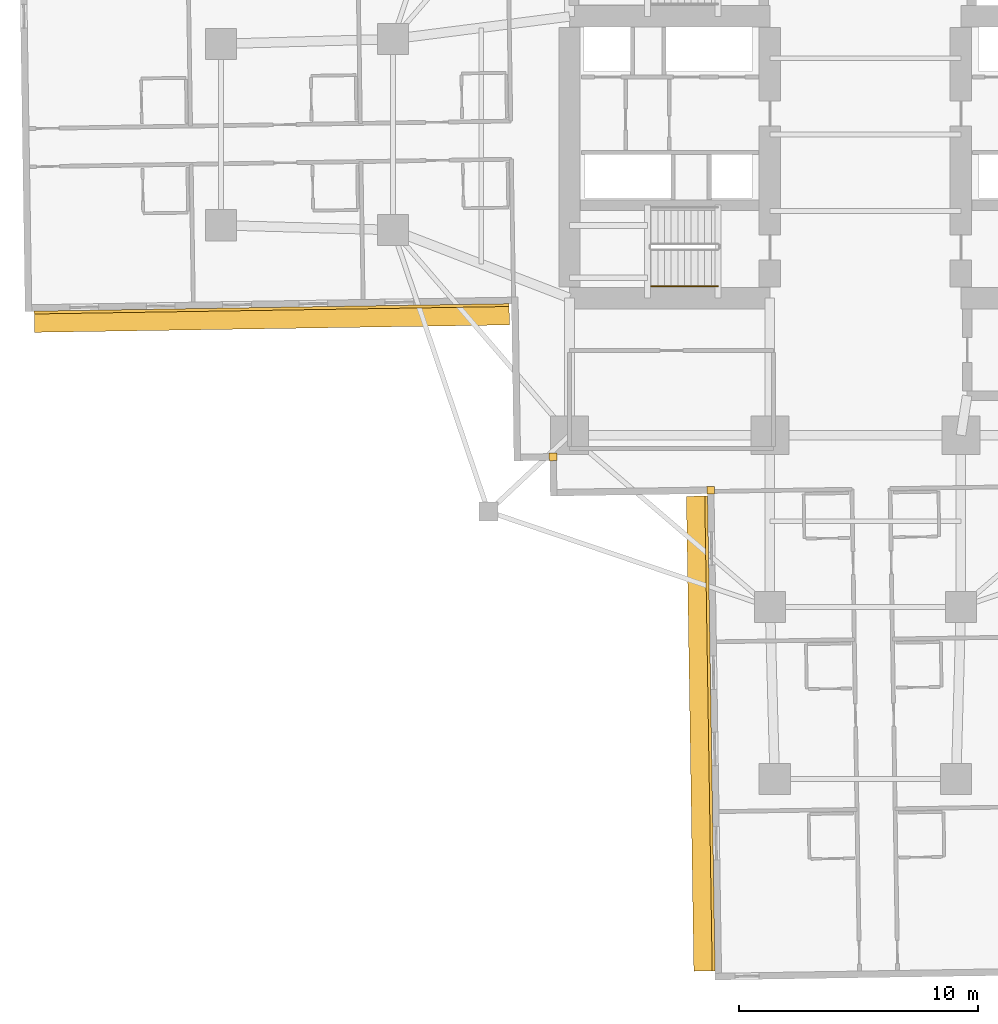
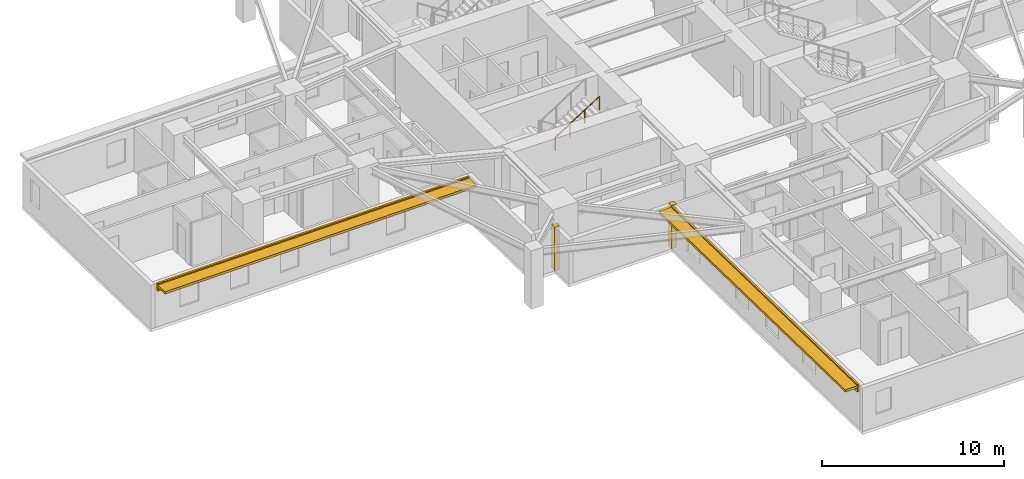
# One storey, part 10 of 14: 4 coverings, 2 shading devices, 1 railing.
"""IFC4 building model written with IfcOpenShell, lengths in metres."""

from ifc_helpers import new_model, si_unit, direction, frame, origin, origin_2d, place, context, subcontext, project, spatial, rectangle, circle, extrude, material, layer, layer_set, type_object, element, save


model = new_model("IFC4")

# Units and contexts
model_context = context("Model", 3, precision=1e-05, world=origin(), true_north=direction((0.0, 1.0)))
body_context = subcontext(model_context, "Body", "Model", "MODEL_VIEW")
ifc_project = project(units=[si_unit("LENGTHUNIT", "METRE"), si_unit("AREAUNIT", "SQUARE_METRE"), si_unit("VOLUMEUNIT", "CUBIC_METRE"), si_unit("PLANEANGLEUNIT", "RADIAN"), si_unit("MASSUNIT", "GRAM", prefix="KILO")], contexts=[model_context])

# Site, building, storey
site_placement = place(None, origin())
site = spatial("IfcSite", under=ifc_project, at=site_placement, CompositionType="ELEMENT")
building_placement = place(site_placement, origin())
building = spatial("IfcBuilding", under=site, at=building_placement, Name="Qingluan Cross Belvedere", CompositionType="ELEMENT")
storey_placement = place(building_placement, frame((0.0, 0.0, 27.60009765625)))
storey = spatial("IfcBuildingStorey", under=building, at=storey_placement, Name="L07", CompositionType="ELEMENT", Elevation=27.60009765625)

# Coverings
ifc_material_1 = material(Name="Precast concrete C45", Category="concrete")
ifc_layer_1 = layer(ifc_material_1, 0.1201171875, Name="ConcreteSpandrelCladding_120")
ifc_layer_set_1 = layer_set([ifc_layer_1], Name="Precast concrete C45")
covering_type = type_object("IfcCoveringType", Name="ConcreteSpandrelCladding_120", PredefinedType="CLADDING", material=ifc_layer_set_1)
for number, where, z_axis, x_axis, name in (
    (1, (-24.87841796875, -7.3017578125, 2.449951171875), (0.0, 0.0, 1.0), (0.999876567432, 0.015711457647, 0.0), "Spandrel cladding L07-WB"),
    (2, (-6.5166015625, -25.095458984375, 2.449951171875), (0.0, 0.0, 1.0), (0.015706483741, -0.999876645576, 0.0), "Spandrel cladding L07-SA"),
):
    element("IfcCovering", number, at=place(storey_placement, frame(where, z_axis=z_axis, x_axis=x_axis)), inside=storey, type_object=covering_type, Name=name, PredefinedType="CLADDING", context=body_context, shape_type="SweptSolid", body=[
        extrude(rectangle(XDim=19.89990234375, YDim=0.1201171875, at=origin_2d()), origin(), (0.0, 0.0, 1.0), 0.52001953125),
    ])
for number, where, z_axis, x_axis, name in (
    (3, (-13.089599609375, -13.50732421875, 0.0), (0.0, 0.0, 1.0), (0.999876632482, 0.015707317312, 0.0), "Corner closure L07-SW1"),
    (4, (-6.48681640625, -14.90380859375, 0.0), (0.0, 0.0, 1.0), (0.999876632482, 0.015707317312, 0.0), "Corner closure L07-SW2"),
):
    element("IfcCovering", number, at=place(storey_placement, frame(where, z_axis=z_axis, x_axis=x_axis)), inside=storey, type_object=covering_type, Name=name, PredefinedType="CLADDING", context=body_context, shape_type="SweptSolid", body=[
        extrude(rectangle(XDim=0.320068359375, YDim=0.320068359375, at=origin_2d()), origin(), (0.0, 0.0, 1.0), 2.909912109375),
    ])

# Shading devices
ifc_material_2 = material(Name="Precast concrete C45", Category="concrete")
ifc_layer_2 = layer(ifc_material_2, 0.159912109375, Name="ConcreteSunshadeBand_900")
ifc_layer_set_2 = layer_set([ifc_layer_2], Name="Precast concrete C45")
shading_device_type = type_object("IfcShadingDeviceType", Name="ConcreteSunshadeBand_900", PredefinedType="USERDEFINED", material=ifc_layer_set_2)
for number, where, z_axis, x_axis, name in (
    (5, (-24.872314453125, -7.681640625, 2.72998046875), (0.0, 0.0, 1.0), (0.999876567432, 0.015711457647, 0.0), "Concrete SUNSHADE L07-WB"),
    (6, (-6.896484375, -25.101318359375, 2.72998046875), (0.0, 0.0, 1.0), (0.015706483741, -0.999876645576, 0.0), "Concrete SUNSHADE L07-SA"),
):
    element("IfcShadingDevice", number, at=place(storey_placement, frame(where, z_axis=z_axis, x_axis=x_axis)), inside=storey, type_object=shading_device_type, Name=name, ObjectType="SUNSHADE", PredefinedType="USERDEFINED", context=body_context, shape_type="SweptSolid", body=[
        extrude(rectangle(XDim=19.89990234375, YDim=0.89990234375, at=origin_2d()), origin(), (0.0, 0.0, 1.0), 0.159912109375),
    ])

# Railing
ifc_material_3 = material(Name="Brushed stainless steel tubular handrail", Category="steel")
railing_type = type_object("IfcRailingType", Name="StairPitchHandrail_900", PredefinedType="HANDRAIL", material=ifc_material_3)
railing_placement = place(storey_placement, frame((-8.97998046875, -6.35009765625, 2.127197265625)))
element("IfcRailing", 7, at=railing_placement, inside=storey, type_object=railing_type, Name="L07 ST1 stair handrail 2", PredefinedType="HANDRAIL", context=body_context, shape_type="SweptSolid", body=[
    extrude(circle(Radius=0.02392578125, at=origin_2d()), frame((0.0, 0.0, 0.8759765625), z_axis=(0.844908973607, 0.0, 0.534910110503), x_axis=(0.0, 1.0, 0.0)), (0.0, 0.0, 1.0), 3.31396484375),
    extrude(circle(Radius=0.02099609375, at=origin_2d()), origin(), (0.0, 0.0, 1.0), 0.851806640625),
    extrude(circle(Radius=0.02099609375, at=origin_2d()), frame((0.933349609375, 0.0, 0.5908203125)), (0.0, 0.0, 1.0), 0.851806640625),
    extrude(circle(Radius=0.02099609375, at=origin_2d()), frame((1.86669921875, 0.0, 1.181884765625)), (0.0, 0.0, 1.0), 0.851806640625),
    extrude(circle(Radius=0.02099609375, at=origin_2d()), frame((2.800048828125, 0.0, 1.772705078125)), (0.0, 0.0, 1.0), 0.851806640625),
])

save(model, "model.ifc")
